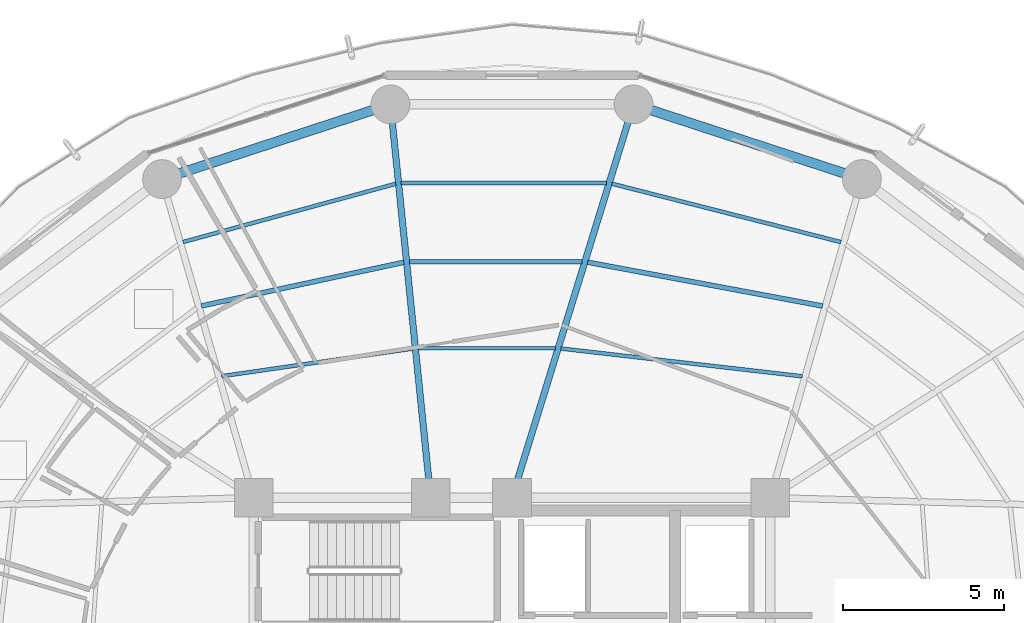
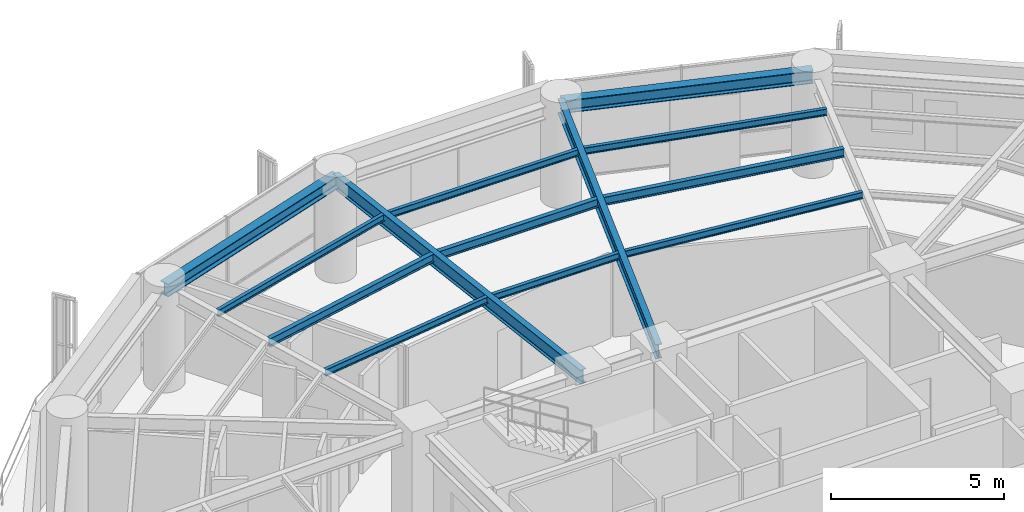
# One storey, part 17 of 27: 13 beams.
"""IFC4 building model written with IfcOpenShell, lengths in metres."""

from ifc_helpers import new_model, si_unit, direction, frame, origin, origin_2d, place, context, subcontext, project, spatial, i_section, extrude, material, material_profile, profile_set, type_object, element, save


model = new_model("IFC4")

# Units and contexts
model_context = context("Model", 3, precision=1e-05, world=origin(), true_north=direction((0.0, 1.0)))
body_context = subcontext(model_context, "Body", "Model", "MODEL_VIEW")
ifc_project = project(units=[si_unit("LENGTHUNIT", "METRE"), si_unit("AREAUNIT", "SQUARE_METRE"), si_unit("VOLUMEUNIT", "CUBIC_METRE"), si_unit("PLANEANGLEUNIT", "RADIAN"), si_unit("MASSUNIT", "GRAM", prefix="KILO")], contexts=[model_context])

# Site, building, storey
site_placement = place(None, origin())
site = spatial("IfcSite", under=ifc_project, at=site_placement, CompositionType="ELEMENT")
building_placement = place(site_placement, origin())
building = spatial("IfcBuilding", under=site, at=building_placement, Name="Kelanora Arch Commons", CompositionType="ELEMENT")
storey_placement = place(building_placement, frame((0.0, 0.0, 150.60009765625)))
storey = spatial("IfcBuildingStorey", under=building, at=storey_placement, Name="L38", CompositionType="ELEMENT", Elevation=150.60009765625)

# Beams
ifc_material = material(Name="Steel S355", Category="steel")
ifc_material_profile_1 = material_profile(ifc_material, i_section(OverallWidth=0.14990234375, OverallDepth=0.300048828125, WebThickness=0.007080078125, FlangeThickness=0.0107421875, FilletRadius=0.014892578125, at=origin_2d()), Name="IPE300")
ifc_profile_set_1 = profile_set([ifc_material_profile_1], Name="Steel S355")
beam_type_1 = type_object("IfcBeamType", Name="BM-JST-01", PredefinedType="JOIST", material=ifc_profile_set_1)
beam_1_placement = place(storey_placement, frame((83.620361328125, 70.937744140625, 3.33984375), z_axis=(-0.983054256126, 0.183314837134, 0.0), x_axis=(-0.183314837134, -0.983054256126, 0.0)))
element("IfcBeam", 1, at=beam_1_placement, inside=storey, type_object=beam_type_1, Name="Secondary Chord Joist BJB-06 L38", PredefinedType="JOIST", context=body_context, shape_type="SweptSolid", body=[
    extrude(i_section(OverallWidth=0.14990234375, OverallDepth=0.300048828125, WebThickness=0.007080078125, FlangeThickness=0.0107421875, FilletRadius=0.014892578125, at=origin_2d()), origin(), (0.0, 0.0, 1.0), 7.403564453125),
])
beam_2_placement = place(storey_placement, frame((76.173828125, 72.310546875, 3.33984375), z_axis=(-1.0, 0.0, 0.0), x_axis=(0.0, -1.0, 0.0)))
element("IfcBeam", 2, at=beam_2_placement, inside=storey, type_object=beam_type_1, Name="Secondary Chord Joist BJB-08 L38", PredefinedType="JOIST", context=body_context, shape_type="SweptSolid", body=[
    extrude(i_section(OverallWidth=0.14990234375, OverallDepth=0.300048828125, WebThickness=0.007080078125, FlangeThickness=0.0107421875, FilletRadius=0.014892578125, at=origin_2d()), origin(), (0.0, 0.0, 1.0), 5.355712890625),
])
beam_3_placement = place(storey_placement, frame((70.650146484375, 72.29248046875, 3.33984375), z_axis=(-0.977521966827, -0.210833594029, 0.0), x_axis=(0.210833594029, -0.977521966827, 0.0)))
element("IfcBeam", 3, at=beam_3_placement, inside=storey, type_object=beam_type_1, Name="Secondary Chord Joist BJB-10 L38", PredefinedType="JOIST", context=body_context, shape_type="SweptSolid", body=[
    extrude(i_section(OverallWidth=0.14990234375, OverallDepth=0.300048828125, WebThickness=0.007080078125, FlangeThickness=0.0107421875, FilletRadius=0.014892578125, at=origin_2d()), origin(), (0.0, 0.0, 1.0), 6.415283203125),
])
ifc_material_profile_2 = material_profile(ifc_material, i_section(OverallWidth=0.1201171875, OverallDepth=0.239990234375, WebThickness=0.006103515625, FlangeThickness=0.009765625, FilletRadius=0.014892578125, at=origin_2d()), Name="IPE240")
ifc_profile_set_2 = profile_set([ifc_material_profile_2], Name="Steel S355")
beam_type_2 = type_object("IfcBeamType", Name="BM-JST-02", PredefinedType="JOIST", material=ifc_profile_set_2)
beam_4_placement = place(storey_placement, frame((82.994873046875, 68.760498046875, 3.369873046875), z_axis=(-0.993457414184, 0.114203179475, 0.0), x_axis=(-0.114203179475, -0.993457414184, 0.0)))
element("IfcBeam", 4, at=beam_4_placement, inside=storey, type_object=beam_type_2, Name="Secondary Chord Joist BJA-06 L38", PredefinedType="JOIST", context=body_context, shape_type="SweptSolid", body=[
    extrude(i_section(OverallWidth=0.1201171875, OverallDepth=0.239990234375, WebThickness=0.006103515625, FlangeThickness=0.009765625, FilletRadius=0.014892578125, at=origin_2d()), origin(), (0.0, 0.0, 1.0), 7.529296875),
])
beam_5_placement = place(storey_placement, frame((84.189697265625, 72.917236328125, 3.369873046875), z_axis=(-0.96900232943, 0.247051584815, 0.0), x_axis=(-0.247051584815, -0.96900232943, 0.0)))
element("IfcBeam", 5, at=beam_5_placement, inside=storey, type_object=beam_type_2, Name="Secondary Chord Joist BJC-06 L38", PredefinedType="JOIST", context=body_context, shape_type="SweptSolid", body=[
    extrude(i_section(OverallWidth=0.1201171875, OverallDepth=0.239990234375, WebThickness=0.006103515625, FlangeThickness=0.009765625, FilletRadius=0.014892578125, at=origin_2d()), origin(), (0.0, 0.0, 1.0), 7.32275390625),
])
beam_6_placement = place(storey_placement, frame((75.345703125, 69.6298828125, 3.369873046875), z_axis=(-1.0, 0.0, 0.0), x_axis=(0.0, -1.0, 0.0)))
element("IfcBeam", 6, at=beam_6_placement, inside=storey, type_object=beam_type_2, Name="Secondary Chord Joist BJA-08 L38", PredefinedType="JOIST", context=body_context, shape_type="SweptSolid", body=[
    extrude(i_section(OverallWidth=0.1201171875, OverallDepth=0.239990234375, WebThickness=0.006103515625, FlangeThickness=0.009765625, FilletRadius=0.014892578125, at=origin_2d()), origin(), (0.0, 0.0, 1.0), 4.253662109375),
])
beam_7_placement = place(storey_placement, frame((76.9267578125, 74.747314453125, 3.369873046875), z_axis=(-1.0, 0.0, 0.0), x_axis=(0.0, -1.0, 0.0)))
element("IfcBeam", 7, at=beam_7_placement, inside=storey, type_object=beam_type_2, Name="Secondary Chord Joist BJC-08 L38", PredefinedType="JOIST", context=body_context, shape_type="SweptSolid", body=[
    extrude(i_section(OverallWidth=0.1201171875, OverallDepth=0.239990234375, WebThickness=0.006103515625, FlangeThickness=0.009765625, FilletRadius=0.014892578125, at=origin_2d()), origin(), (0.0, 0.0, 1.0), 6.357666015625),
])
beam_8_placement = place(storey_placement, frame((70.9228515625, 69.617919921875, 3.369873046875), z_axis=(-0.989718726051, -0.143027421508, 0.0), x_axis=(0.143027421508, -0.989718726051, 0.0)))
element("IfcBeam", 8, at=beam_8_placement, inside=storey, type_object=beam_type_2, Name="Secondary Chord Joist BJA-10 L38", PredefinedType="JOIST", context=body_context, shape_type="SweptSolid", body=[
    extrude(i_section(OverallWidth=0.1201171875, OverallDepth=0.239990234375, WebThickness=0.006103515625, FlangeThickness=0.009765625, FilletRadius=0.014892578125, at=origin_2d()), origin(), (0.0, 0.0, 1.0), 5.9794921875),
])
beam_9_placement = place(storey_placement, frame((70.40234375, 74.724853515625, 3.369873046875), z_axis=(-0.964456541131, -0.264241518824, 0.0), x_axis=(0.264241518824, -0.964456541131, 0.0)))
element("IfcBeam", 9, at=beam_9_placement, inside=storey, type_object=beam_type_2, Name="Secondary Chord Joist BJC-10 L38", PredefinedType="JOIST", context=body_context, shape_type="SweptSolid", body=[
    extrude(i_section(OverallWidth=0.1201171875, OverallDepth=0.239990234375, WebThickness=0.006103515625, FlangeThickness=0.009765625, FilletRadius=0.014892578125, at=origin_2d()), origin(), (0.0, 0.0, 1.0), 6.835205078125),
])
ifc_material_profile_3 = material_profile(ifc_material, i_section(OverallWidth=0.199951171875, OverallDepth=0.5, WebThickness=0.01025390625, FlangeThickness=0.01611328125, FilletRadius=0.02099609375, at=origin_2d()), Name="IPE500")
ifc_profile_set_3 = profile_set([ifc_material_profile_3], Name="Steel S355")
beam_type_3 = type_object("IfcBeamType", Name="BM-RAD-Z3", PredefinedType="BEAM", material=ifc_profile_set_3)
beam_10_placement = place(storey_placement, frame((74.0, 65.0, 3.239990234375), z_axis=(0.295210315095, 0.955432294755, 0.0), x_axis=(-0.955432294755, 0.295210315095, 0.0)))
element("IfcBeam", 10, at=beam_10_placement, inside=storey, type_object=beam_type_3, Name="Radial Floor Girder BR-08 L38", PredefinedType="BEAM", context=body_context, shape_type="SweptSolid", body=[
    extrude(i_section(OverallWidth=0.199951171875, OverallDepth=0.5, WebThickness=0.01025390625, FlangeThickness=0.01611328125, FilletRadius=0.02099609375, at=origin_2d()), origin(), (0.0, 0.0, 1.0), 12.75244140625),
])
beam_11_placement = place(storey_placement, frame((71.47998046875, 65.0, 3.239990234375), z_axis=(-0.101623200789, 0.994822961668, 0.0), x_axis=(-0.994822961668, -0.101623200789, 0.0)))
element("IfcBeam", 11, at=beam_11_placement, inside=storey, type_object=beam_type_3, Name="Radial Floor Girder BR-10 L38", PredefinedType="BEAM", context=body_context, shape_type="SweptSolid", body=[
    extrude(i_section(OverallWidth=0.199951171875, OverallDepth=0.5, WebThickness=0.01025390625, FlangeThickness=0.01611328125, FilletRadius=0.02099609375, at=origin_2d()), origin(), (0.0, 0.0, 1.0), 12.24755859375),
])
ifc_material_profile_4 = material_profile(ifc_material, i_section(OverallWidth=0.300048828125, OverallDepth=0.449951171875, WebThickness=0.013916015625, FlangeThickness=0.02587890625, FilletRadius=0.027099609375, at=origin_2d()), Name="HEB450")
ifc_profile_set_4 = profile_set([ifc_material_profile_4], Name="Steel S355")
beam_type_4 = type_object("IfcBeamType", Name="BM-SPN-Z3", PredefinedType="SPANDREL", material=ifc_profile_set_4)
for number, where, z_axis, x_axis, name in (
    (12, (84.840087890625, 74.8701171875, 3.264892578125), (-0.950461975786, 0.310840847676, 0.0), (-0.310840847676, -0.950461975786, 0.0), "Perimeter Spandrel Beam BS-06 L38"),
    (13, (70.2353515625, 77.18408203125, 3.264892578125), (-0.950461975786, -0.310840847676, 0.0), (0.310840847676, -0.950461975786, 0.0), "Perimeter Spandrel Beam BS-10 L38"),
):
    element("IfcBeam", number, at=place(storey_placement, frame(where, z_axis=z_axis, x_axis=x_axis)), inside=storey, type_object=beam_type_4, Name=name, PredefinedType="SPANDREL", context=body_context, shape_type="SweptSolid", body=[
        extrude(i_section(OverallWidth=0.300048828125, OverallDepth=0.449951171875, WebThickness=0.013916015625, FlangeThickness=0.02587890625, FilletRadius=0.027099609375, at=origin_2d()), origin(), (0.0, 0.0, 1.0), 7.444091796875),
    ])

save(model, "model.ifc")
